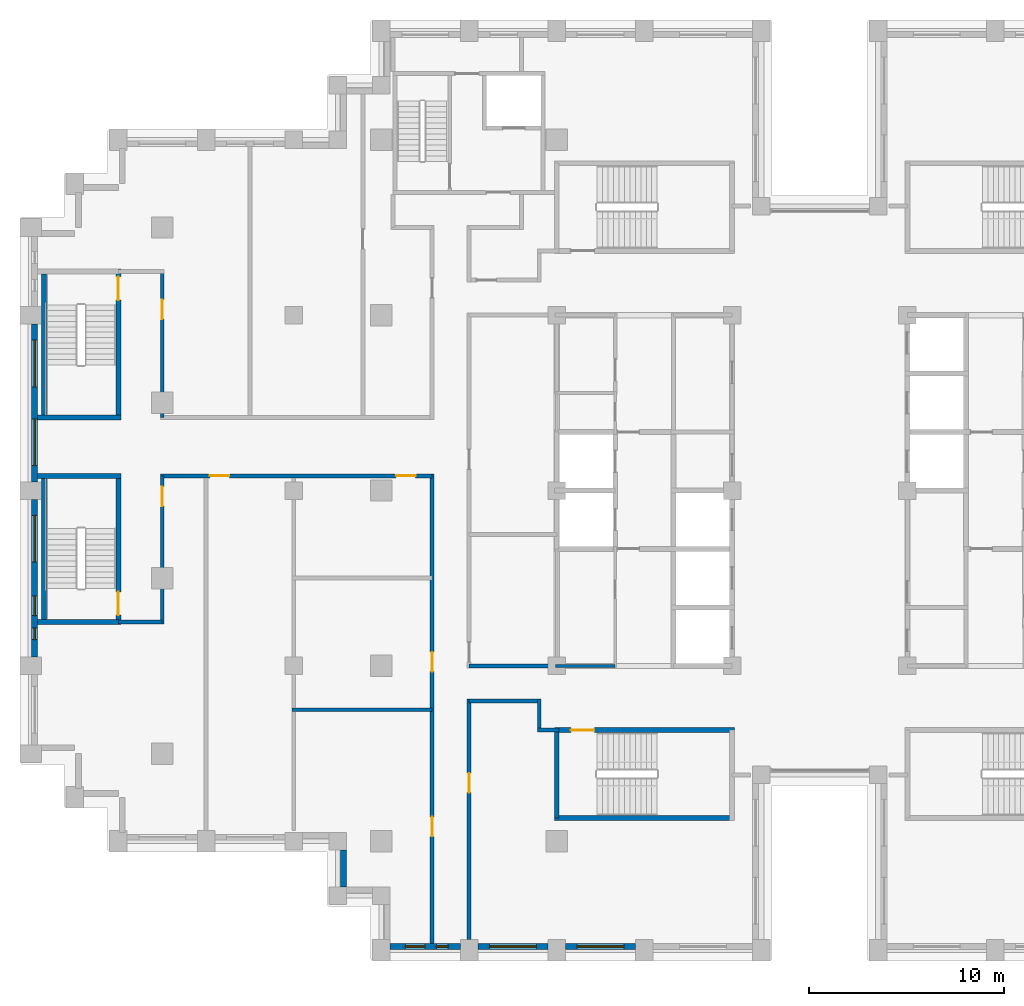
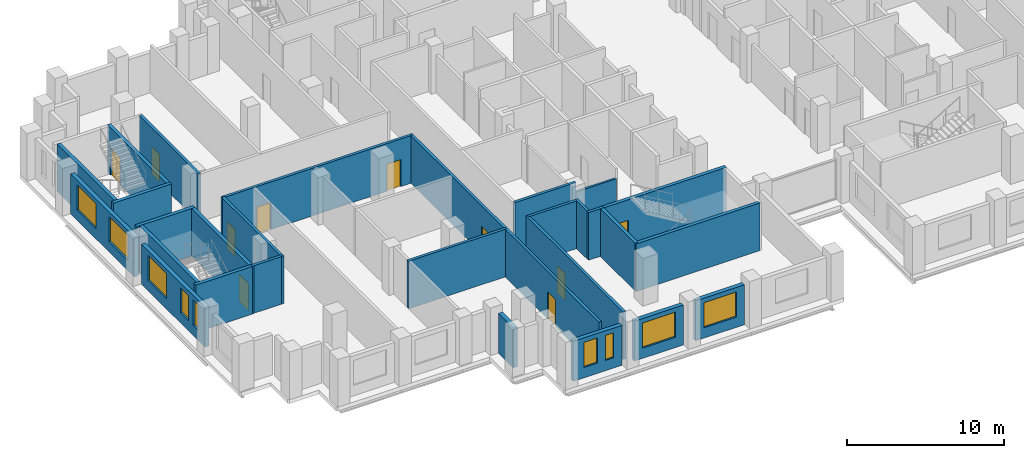
# One storey, part 6 of 16: 28 walls, 10 doors, 9 windows, 19 openings.
"""IFC4 building model written with IfcOpenShell, lengths in metres."""

import ifcopenshell
import ifcopenshell.guid

model = None  # the IFC model being written
_history = None  # IfcOwnerHistory: only IFC2X3 demands one
_inside = {}  # id of a spatial element -> (the spatial element, [elements in it])
_under = {}  # id of a project, library or spatial element -> (it, [spatial elements below it])
_declared = {}  # id of a project -> (the project, [libraries it declares])
_typed = {}  # id of a type object -> (the type object, [elements of that type])
_made_of = {}  # id of a material, layer set ... -> (it, [elements and type objects made of it])


def new_model(schema):
    """Start an empty IFC model of exactly this schema.

    Asked for "IFC4X3", IfcOpenShell would pick the latest addendum, in which some entities
    have other attributes; the version numbers below select the first issue.
    IFC2X3 requires an IfcOwnerHistory on every rooted entity: one is made here for all.
    """
    global model, _history
    if schema == "IFC4X3":
        model = ifcopenshell.file(schema_version=(4, 3, 0, 0))
    else:
        model = ifcopenshell.file(schema=schema)
    _inside.clear()
    _under.clear()
    _declared.clear()
    _typed.clear()
    _made_of.clear()
    _history = None
    if model.schema == "IFC2X3":
        org = make("IfcOrganization", Name="unknown")
        user = make(
            "IfcPersonAndOrganization",
            ThePerson=make("IfcPerson", FamilyName="unknown"),
            TheOrganization=org,
        )
        app = make(
            "IfcApplication",
            ApplicationDeveloper=org,
            Version="unknown",
            ApplicationFullName="unknown",
            ApplicationIdentifier="unknown",
        )
        _history = make(
            "IfcOwnerHistory",
            OwningUser=user,
            OwningApplication=app,
            ChangeAction="ADDED",
            CreationDate=0,
        )
    return model


def make(cls, **values):
    """One entity of the class cls with the attributes given. An attribute that is None is left unset."""
    return model.create_entity(
        cls, **{name: value for name, value in values.items() if value is not None}
    )


def rooted(cls, **values):
    """An entity with a GlobalId (a new one), such as an element, a storey or a relation."""
    return make(cls, GlobalId=ifcopenshell.guid.new(), OwnerHistory=_history, **values)


def si_unit(unit_type, name, prefix=None):
    """IfcSIUnit, for example si_unit("LENGTHUNIT", "METRE", prefix="MILLI")."""
    return make("IfcSIUnit", UnitType=unit_type, Prefix=prefix, Name=name)


def assignment(units):
    """IfcUnitAssignment: the units of a project."""
    return None if units is None else make("IfcUnitAssignment", Units=units)


def point(xyz):
    """IfcCartesianPoint."""
    return None if xyz is None else make("IfcCartesianPoint", Coordinates=xyz)


def direction(xyz):
    """IfcDirection."""
    return None if xyz is None else make("IfcDirection", DirectionRatios=xyz)


def frame(location, z_axis=None, x_axis=None):
    """IfcAxis2Placement3D, a coordinate frame: its origin and axes. An axis left out is left unset."""
    return make(
        "IfcAxis2Placement3D",
        Location=point(location),
        Axis=direction(z_axis),
        RefDirection=direction(x_axis),
    )


def frame_2d(location, x_axis=None):
    """IfcAxis2Placement2D, a coordinate frame in the plane: its origin and x axis."""
    return make(
        "IfcAxis2Placement2D", Location=point(location), RefDirection=direction(x_axis)
    )


def origin():
    """The frame at (0, 0, 0) with its axes left unset."""
    return frame((0.0, 0.0, 0.0))


def place(relative_to, where):
    """IfcLocalPlacement: puts the frame where relative to a parent placement (None: the world)."""
    return make(
        "IfcLocalPlacement", PlacementRelTo=relative_to, RelativePlacement=where
    )


def context(
    kind, dimensions, precision=None, world=None, true_north=None, identifier=None
):
    """IfcGeometricRepresentationContext, for example the 3D "Model" context."""
    return make(
        "IfcGeometricRepresentationContext",
        ContextIdentifier=identifier,
        ContextType=kind,
        CoordinateSpaceDimension=dimensions,
        Precision=precision,
        WorldCoordinateSystem=world,
        TrueNorth=true_north,
    )


def subcontext(parent, identifier, kind, view, scale=None):
    """IfcGeometricRepresentationSubContext, for example "Body" below "Model"."""
    return make(
        "IfcGeometricRepresentationSubContext",
        ContextIdentifier=identifier,
        ContextType=kind,
        ParentContext=parent,
        TargetScale=scale,
        TargetView=view,
    )


def project(units=None, contexts=None):
    """IfcProject with its units and contexts."""
    return rooted(
        "IfcProject",
        Name="project",
        RepresentationContexts=contexts,
        UnitsInContext=assignment(units),
    )


def spatial(cls, under=None, at=None, **own):
    """A site, building, storey or space (cls), placed at a placement, below another one or the project."""
    s = rooted(cls, ObjectPlacement=at, **own)
    if under is not None:
        _under.setdefault(under.id(), (under, []))[1].append(s)
    return s


def profile(cls, at=None, kind="AREA", **sizes):
    """A parametric profile (cls). Its sizes go by their IFC names, for example OverallWidth=200.0."""
    return make(cls, ProfileType=kind, Position=at, **sizes)


def rectangle(**sizes):
    """IfcRectangleProfileDef."""
    return profile("IfcRectangleProfileDef", **sizes)


def extrude(swept, where, along, depth):
    """IfcExtrudedAreaSolid: the profile swept, set in the frame where, extruded along a direction by depth."""
    return make(
        "IfcExtrudedAreaSolid",
        SweptArea=swept,
        Position=where,
        ExtrudedDirection=direction(along),
        Depth=depth,
    )


def shape(context_of_items, identifier, shape_type, items):
    """IfcShapeRepresentation: the items that make up one representation, for example the "Body"."""
    return make(
        "IfcShapeRepresentation",
        ContextOfItems=context_of_items,
        RepresentationIdentifier=identifier,
        RepresentationType=shape_type,
        Items=items,
    )


def material(Name=None, Category=None):
    """IfcMaterial."""
    return make("IfcMaterial", Name=Name, Category=Category)


def layer(
    of_material, thickness, ventilated=None, Name=None, Category=None, Priority=None
):
    """IfcMaterialLayer: one layer of a wall or slab, of a material (None: an air gap)."""
    return make(
        "IfcMaterialLayer",
        Material=of_material,
        LayerThickness=thickness,
        IsVentilated=ventilated,
        Name=Name,
        Category=Category,
        Priority=Priority,
    )


def layer_set(layers, Name=None):
    """IfcMaterialLayerSet."""
    return make("IfcMaterialLayerSet", MaterialLayers=layers, LayerSetName=Name)


def made_of(thing, what):
    """Note that an element or type object is made of a material, layer set ...; save() writes the relation."""
    if what is not None:
        _made_of.setdefault(what.id(), (what, []))[1].append(thing)
    return thing


def type_object(cls, material=None, **own):
    """A type object (cls), such as IfcWallType, which elements share."""
    return made_of(rooted(cls, **own), material)


def element(
    cls,
    number,
    at=None,
    inside=None,
    cuts=None,
    type_object=None,
    material=None,
    context=None,
    identifier="Body",
    shape_type=None,
    held_by="IfcProductDefinitionShape",
    body=None,
    shapes=None,
    **own,
):
    """One element of the class cls, such as IfcWall. Its Tag is "e" and its number.

    at: its placement. inside: the storey or other place that contains it. cuts: it is an
    opening in that element (IfcRelVoidsElement). A single representation is given by context,
    identifier, shape_type and body (its items); several are given by shapes. held_by: the class
    of the entity that holds the representations. save() writes the other relations.
    """
    e = rooted(cls, Tag="e%d" % number, ObjectPlacement=at, **own)
    if body is not None:
        shapes = [shape(context, identifier, shape_type, body)]
    if shapes is not None:
        e.Representation = make(held_by, Representations=shapes)
    if inside is not None:
        _inside.setdefault(inside.id(), (inside, []))[1].append(e)
    if cuts is not None:
        rooted(
            "IfcRelVoidsElement", RelatingBuildingElement=cuts, RelatedOpeningElement=e
        )
    if type_object is not None:
        _typed.setdefault(type_object.id(), (type_object, []))[1].append(e)
    return made_of(e, material)


def fill(opening, filler):
    """IfcRelFillsElement: the door or window that sits in an opening."""
    return rooted(
        "IfcRelFillsElement",
        RelatingOpeningElement=opening,
        RelatedBuildingElement=filler,
    )


def aggregate(whole, parts):
    """IfcRelAggregates: a whole, such as a stair, and the parts it consists of."""
    return rooted("IfcRelAggregates", RelatingObject=whole, RelatedObjects=parts)


def save(model, path):
    """Write the relations noted so far, then the file.

    IfcRelAggregates (storeys below a building ...), IfcRelContainedInSpatialStructure (elements
    in a storey), IfcRelDefinesByType, IfcRelAssociatesMaterial and IfcRelDeclares: one each for
    every whole, place, type object, material and project.
    """
    for whole, parts in _under.values():
        aggregate(whole, parts)
    for where, things in _inside.values():
        rooted(
            "IfcRelContainedInSpatialStructure",
            RelatedElements=things,
            RelatingStructure=where,
        )
    for kind, things in _typed.values():
        rooted("IfcRelDefinesByType", RelatedObjects=things, RelatingType=kind)
    for what, things in _made_of.values():
        rooted("IfcRelAssociatesMaterial", RelatedObjects=things, RelatingMaterial=what)
    for by, libraries in _declared.values():
        rooted("IfcRelDeclares", RelatingContext=by, RelatedDefinitions=libraries)
    model.write(path)


model = new_model("IFC4")

# Units and contexts
model_context = context("Model", 3, precision=1e-05, world=origin(), true_north=direction((0.0, 1.0)))
body_context = subcontext(model_context, "Body", "Model", "MODEL_VIEW")
ifc_project = project(units=[si_unit("LENGTHUNIT", "METRE"), si_unit("AREAUNIT", "SQUARE_METRE"), si_unit("VOLUMEUNIT", "CUBIC_METRE"), si_unit("PLANEANGLEUNIT", "RADIAN"), si_unit("MASSUNIT", "GRAM", prefix="KILO")], contexts=[model_context])

# Site, building, storey
site_placement = place(None, origin())
site = spatial("IfcSite", under=ifc_project, at=site_placement, CompositionType="ELEMENT")
building_placement = place(site_placement, origin())
building = spatial("IfcBuilding", under=site, at=building_placement, Name="Corbelhall Arena Tower", CompositionType="ELEMENT")
storey_placement = place(building_placement, frame((0.0, 0.0, 154.0)))
storey = spatial("IfcBuildingStorey", under=building, at=storey_placement, Name="L30", CompositionType="ELEMENT", Elevation=154.0)

# Wall, openings, windows
ifc_material_1 = material(Name="Precast concrete C40/50 with granite facing", Category="masonry")
ifc_layer_1 = layer(ifc_material_1, 0.300048828125)
ifc_layer_set_1 = layer_set([ifc_layer_1], Name="EV-IW1 Infill panel 300")
wall_type_1 = type_object("IfcWallType", Name="EV-IW1 Infill panel 300", PredefinedType="SOLIDWALL", material=ifc_layer_set_1)
wall_1_placement = place(storey_placement, frame((-40.300048828125, 8.550048828125, 0.0), z_axis=(0.0, 0.0, 1.0), x_axis=(0.0, -1.0, 0.0)))
wall_1 = element("IfcWall", 1, at=wall_1_placement, inside=storey, type_object=wall_type_1, Name="Infill panel IW1", PredefinedType="SOLIDWALL", context=body_context, shape_type="SweptSolid", body=[
    extrude(rectangle(XDim=8.10009765625, YDim=0.300048828125, at=frame_2d((4.050048828125, 0.0))), origin(), (0.0, 0.0, 1.0), 3.10009765625),
])
opening_1_placement = place(wall_1_placement, frame((0.824951171875, 0.0, 0.800048828125)))
opening_1 = element("IfcOpeningElement", 2, at=opening_1_placement, cuts=wall_1, Name="Opening WN1", PredefinedType="OPENING", context=body_context, shape_type="SweptSolid", body=[
    extrude(rectangle(XDim=2.39990234375, YDim=1.949951171875, at=frame_2d((1.199951171875, 0.97509765625))), frame((0.0, 0.14990234375, 0.0), z_axis=(0.0, -1.0, 0.0), x_axis=(1.0, 0.0, 0.0)), (0.0, 0.0, 1.0), 0.300048828125),
])
opening_2_placement = place(wall_1_placement, frame((4.875, 0.0, 0.800048828125)))
opening_2 = element("IfcOpeningElement", 3, at=opening_2_placement, cuts=wall_1, Name="Opening WN1", PredefinedType="OPENING", context=body_context, shape_type="SweptSolid", body=[
    extrude(rectangle(XDim=2.39990234375, YDim=1.949951171875, at=frame_2d((1.199951171875, 0.97509765625))), frame((0.0, 0.14990234375, 0.0), z_axis=(0.0, -1.0, 0.0), x_axis=(1.0, 0.0, 0.0)), (0.0, 0.0, 1.0), 0.300048828125),
])
ifc_material_2 = material(Name="Aluminium black anodised", Category="aluminium")
window_type_1 = type_object("IfcWindowType", Name="EV-WN1 Office window", PartitioningType="SINGLE_PANEL", PredefinedType="WINDOW", material=ifc_material_2)
window_1_placement = place(opening_1_placement, origin())
window_1 = element("IfcWindow", 4, at=window_1_placement, inside=storey, type_object=window_type_1, Name="Window WN1", OverallHeight=1.949951171875, OverallWidth=2.39990234375, PartitioningType="SINGLE_PANEL", PredefinedType="WINDOW", context=body_context, shape_type="SweptSolid", body=[
    extrude(rectangle(XDim=2.39990234375, YDim=1.949951171875, at=frame_2d((1.199951171875, 0.97509765625))), frame((0.0, 0.030029296875, 0.0), z_axis=(0.0, -1.0, 0.0), x_axis=(1.0, 0.0, 0.0)), (0.0, 0.0, 1.0), 0.06005859375),
])
fill(opening_1, window_1)
window_2_placement = place(opening_2_placement, origin())
window_2 = element("IfcWindow", 5, at=window_2_placement, inside=storey, type_object=window_type_1, Name="Window WN1", OverallHeight=1.949951171875, OverallWidth=2.39990234375, PartitioningType="SINGLE_PANEL", PredefinedType="WINDOW", context=body_context, shape_type="SweptSolid", body=[
    extrude(rectangle(XDim=2.39990234375, YDim=1.949951171875, at=frame_2d((1.199951171875, 0.97509765625))), frame((0.0, 0.030029296875, 0.0), z_axis=(0.0, -1.0, 0.0), x_axis=(1.0, 0.0, 0.0)), (0.0, 0.0, 1.0), 0.06005859375),
])
fill(opening_2, window_2)

wall_2_placement = place(storey_placement, frame((-40.300048828125, -0.449951171875, 0.0), z_axis=(0.0, 0.0, 1.0), x_axis=(0.0, -1.0, 0.0)))
wall_2 = element("IfcWall", 6, at=wall_2_placement, inside=storey, type_object=wall_type_1, Name="Infill panel IW1", PredefinedType="SOLIDWALL", context=body_context, shape_type="SweptSolid", body=[
    extrude(rectangle(XDim=8.10009765625, YDim=0.300048828125, at=frame_2d((4.050048828125, 0.0))), origin(), (0.0, 0.0, 1.0), 3.10009765625),
])
opening_3_placement = place(wall_2_placement, frame((0.824951171875, 0.0, 0.800048828125)))
opening_3 = element("IfcOpeningElement", 7, at=opening_3_placement, cuts=wall_2, Name="Opening WN1", PredefinedType="OPENING", context=body_context, shape_type="SweptSolid", body=[
    extrude(rectangle(XDim=2.39990234375, YDim=1.949951171875, at=frame_2d((1.199951171875, 0.97509765625))), frame((0.0, 0.14990234375, 0.0), z_axis=(0.0, -1.0, 0.0), x_axis=(1.0, 0.0, 0.0)), (0.0, 0.0, 1.0), 0.300048828125),
])
opening_4_placement = place(wall_2_placement, frame((4.97509765625, 0.0, 0.800048828125)))
opening_4 = element("IfcOpeningElement", 8, at=opening_4_placement, cuts=wall_2, Name="Opening WN6", PredefinedType="OPENING", context=body_context, shape_type="SweptSolid", body=[
    extrude(rectangle(XDim=1.0, YDim=1.949951171875, at=frame_2d((0.5, 0.97509765625))), frame((0.0, 0.14990234375, 0.0), z_axis=(0.0, -1.0, 0.0), x_axis=(1.0, 0.0, 0.0)), (0.0, 0.0, 1.0), 0.300048828125),
])
opening_5_placement = place(wall_2_placement, frame((6.60009765625, 0.0, 0.800048828125)))
opening_5 = element("IfcOpeningElement", 9, at=opening_5_placement, cuts=wall_2, Name="Opening WN5", PredefinedType="OPENING", context=body_context, shape_type="SweptSolid", body=[
    extrude(rectangle(XDim=0.60009765625, YDim=1.949951171875, at=frame_2d((0.300048828125, 0.97509765625))), frame((0.0, 0.14990234375, 0.0), z_axis=(0.0, -1.0, 0.0), x_axis=(1.0, 0.0, 0.0)), (0.0, 0.0, 1.0), 0.300048828125),
])
window_3_placement = place(opening_3_placement, origin())
window_3 = element("IfcWindow", 10, at=window_3_placement, inside=storey, type_object=window_type_1, Name="Window WN1", OverallHeight=1.949951171875, OverallWidth=2.39990234375, PartitioningType="SINGLE_PANEL", PredefinedType="WINDOW", context=body_context, shape_type="SweptSolid", body=[
    extrude(rectangle(XDim=2.39990234375, YDim=1.949951171875, at=frame_2d((1.199951171875, 0.97509765625))), frame((0.0, 0.030029296875, 0.0), z_axis=(0.0, -1.0, 0.0), x_axis=(1.0, 0.0, 0.0)), (0.0, 0.0, 1.0), 0.06005859375),
])
fill(opening_3, window_3)
window_type_2 = type_object("IfcWindowType", Name="EV-WN5 Office window 600", PartitioningType="SINGLE_PANEL", PredefinedType="WINDOW", material=ifc_material_2)
window_4_placement = place(opening_5_placement, origin())
window_4 = element("IfcWindow", 11, at=window_4_placement, inside=storey, type_object=window_type_2, Name="Window WN5", OverallHeight=1.949951171875, OverallWidth=0.60009765625, PartitioningType="SINGLE_PANEL", PredefinedType="WINDOW", context=body_context, shape_type="SweptSolid", body=[
    extrude(rectangle(XDim=0.60009765625, YDim=1.949951171875, at=frame_2d((0.300048828125, 0.97509765625))), frame((0.0, 0.030029296875, 0.0), z_axis=(0.0, -1.0, 0.0), x_axis=(1.0, 0.0, 0.0)), (0.0, 0.0, 1.0), 0.06005859375),
])
fill(opening_5, window_4)
window_type_3 = type_object("IfcWindowType", Name="EV-WN6 Office window 1000", PartitioningType="SINGLE_PANEL", PredefinedType="WINDOW", material=ifc_material_2)
window_5_placement = place(opening_4_placement, origin())
window_5 = element("IfcWindow", 12, at=window_5_placement, inside=storey, type_object=window_type_3, Name="Window WN6", OverallHeight=1.949951171875, OverallWidth=1.0, PartitioningType="SINGLE_PANEL", PredefinedType="WINDOW", context=body_context, shape_type="SweptSolid", body=[
    extrude(rectangle(XDim=1.0, YDim=1.949951171875, at=frame_2d((0.5, 0.97509765625))), frame((0.0, 0.030029296875, 0.0), z_axis=(0.0, -1.0, 0.0), x_axis=(1.0, 0.0, 0.0)), (0.0, 0.0, 1.0), 0.06005859375),
])
fill(opening_4, window_5)

# Wall
wall_3_placement = place(storey_placement, frame((-24.449951171875, -18.449951171875, 0.0), z_axis=(0.0, 0.0, 1.0), x_axis=(0.0, -1.0, 0.0)))
element("IfcWall", 13, at=wall_3_placement, inside=storey, type_object=wall_type_1, Name="Infill panel IW1", PredefinedType="SOLIDWALL", context=body_context, shape_type="SweptSolid", body=[
    extrude(rectangle(XDim=1.900146484375, YDim=0.300048828125, at=frame_2d((0.9501953125, 0.0))), origin(), (0.0, 0.0, 1.0), 3.10009765625),
])

# Wall, openings, windows
wall_4_placement = place(storey_placement, frame((-22.050048828125, -23.39990234375, 0.0), z_axis=(0.0, 0.0, 1.0), x_axis=(1.0, 0.0, 0.0)))
wall_4 = element("IfcWall", 14, at=wall_4_placement, inside=storey, type_object=wall_type_1, Name="Infill panel IW1", PredefinedType="SOLIDWALL", context=body_context, shape_type="SweptSolid", body=[
    extrude(rectangle(XDim=3.60009765625, YDim=0.300048828125, at=frame_2d((1.800048828125, 0.0))), origin(), (0.0, 0.0, 1.0), 3.10009765625),
])
opening_6_placement = place(wall_4_placement, frame((0.77490234375, 0.0, 0.800048828125)))
opening_6 = element("IfcOpeningElement", 15, at=opening_6_placement, cuts=wall_4, Name="Opening WN6", PredefinedType="OPENING", context=body_context, shape_type="SweptSolid", body=[
    extrude(rectangle(XDim=1.0, YDim=1.949951171875, at=frame_2d((0.5, 0.97509765625))), frame((0.0, 0.14990234375, 0.0), z_axis=(0.0, -1.0, 0.0), x_axis=(1.0, 0.0, 0.0)), (0.0, 0.0, 1.0), 0.300048828125),
])
opening_7_placement = place(wall_4_placement, frame((2.375, 0.0, 0.800048828125)))
opening_7 = element("IfcOpeningElement", 16, at=opening_7_placement, cuts=wall_4, Name="Opening WN5", PredefinedType="OPENING", context=body_context, shape_type="SweptSolid", body=[
    extrude(rectangle(XDim=0.60009765625, YDim=1.949951171875, at=frame_2d((0.300048828125, 0.97509765625))), frame((0.0, 0.14990234375, 0.0), z_axis=(0.0, -1.0, 0.0), x_axis=(1.0, 0.0, 0.0)), (0.0, 0.0, 1.0), 0.300048828125),
])
window_6_placement = place(opening_7_placement, origin())
window_6 = element("IfcWindow", 17, at=window_6_placement, inside=storey, type_object=window_type_2, Name="Window WN5", OverallHeight=1.949951171875, OverallWidth=0.60009765625, PartitioningType="SINGLE_PANEL", PredefinedType="WINDOW", context=body_context, shape_type="SweptSolid", body=[
    extrude(rectangle(XDim=0.60009765625, YDim=1.949951171875, at=frame_2d((0.300048828125, 0.97509765625))), frame((0.0, 0.030029296875, 0.0), z_axis=(0.0, -1.0, 0.0), x_axis=(1.0, 0.0, 0.0)), (0.0, 0.0, 1.0), 0.06005859375),
])
fill(opening_7, window_6)
window_7_placement = place(opening_6_placement, origin())
window_7 = element("IfcWindow", 18, at=window_7_placement, inside=storey, type_object=window_type_3, Name="Window WN6", OverallHeight=1.949951171875, OverallWidth=1.0, PartitioningType="SINGLE_PANEL", PredefinedType="WINDOW", context=body_context, shape_type="SweptSolid", body=[
    extrude(rectangle(XDim=1.0, YDim=1.949951171875, at=frame_2d((0.5, 0.97509765625))), frame((0.0, 0.030029296875, 0.0), z_axis=(0.0, -1.0, 0.0), x_axis=(1.0, 0.0, 0.0)), (0.0, 0.0, 1.0), 0.06005859375),
])
fill(opening_6, window_7)

# Wall, opening, window
wall_5_placement = place(storey_placement, frame((-17.550048828125, -23.39990234375, 0.0), z_axis=(0.0, 0.0, 1.0), x_axis=(1.0, 0.0, 0.0)))
wall_5 = element("IfcWall", 19, at=wall_5_placement, inside=storey, type_object=wall_type_1, Name="Infill panel IW1", PredefinedType="SOLIDWALL", context=body_context, shape_type="SweptSolid", body=[
    extrude(rectangle(XDim=3.60009765625, YDim=0.300048828125, at=frame_2d((1.800048828125, 0.0))), origin(), (0.0, 0.0, 1.0), 3.10009765625),
])
opening_8_placement = place(wall_5_placement, frame((0.60009765625, 0.0, 0.800048828125)))
opening_8 = element("IfcOpeningElement", 20, at=opening_8_placement, cuts=wall_5, Name="Opening WN1", PredefinedType="OPENING", context=body_context, shape_type="SweptSolid", body=[
    extrude(rectangle(XDim=2.39990234375, YDim=1.949951171875, at=frame_2d((1.199951171875, 0.97509765625))), frame((0.0, 0.14990234375, 0.0), z_axis=(0.0, -1.0, 0.0), x_axis=(1.0, 0.0, 0.0)), (0.0, 0.0, 1.0), 0.300048828125),
])
window_8_placement = place(opening_8_placement, origin())
window_8 = element("IfcWindow", 21, at=window_8_placement, inside=storey, type_object=window_type_1, Name="Window WN1", OverallHeight=1.949951171875, OverallWidth=2.39990234375, PartitioningType="SINGLE_PANEL", PredefinedType="WINDOW", context=body_context, shape_type="SweptSolid", body=[
    extrude(rectangle(XDim=2.39990234375, YDim=1.949951171875, at=frame_2d((1.199951171875, 0.97509765625))), frame((0.0, 0.030029296875, 0.0), z_axis=(0.0, -1.0, 0.0), x_axis=(1.0, 0.0, 0.0)), (0.0, 0.0, 1.0), 0.06005859375),
])
fill(opening_8, window_8)

wall_6_placement = place(storey_placement, frame((-13.050048828125, -23.39990234375, 0.0), z_axis=(0.0, 0.0, 1.0), x_axis=(1.0, 0.0, 0.0)))
wall_6 = element("IfcWall", 22, at=wall_6_placement, inside=storey, type_object=wall_type_1, Name="Infill panel IW1", PredefinedType="SOLIDWALL", context=body_context, shape_type="SweptSolid", body=[
    extrude(rectangle(XDim=3.60009765625, YDim=0.300048828125, at=frame_2d((1.800048828125, 0.0))), origin(), (0.0, 0.0, 1.0), 3.10009765625),
])
opening_9_placement = place(wall_6_placement, frame((0.60009765625, 0.0, 0.800048828125)))
opening_9 = element("IfcOpeningElement", 23, at=opening_9_placement, cuts=wall_6, Name="Opening WN1", PredefinedType="OPENING", context=body_context, shape_type="SweptSolid", body=[
    extrude(rectangle(XDim=2.39990234375, YDim=1.949951171875, at=frame_2d((1.199951171875, 0.97509765625))), frame((0.0, 0.14990234375, 0.0), z_axis=(0.0, -1.0, 0.0), x_axis=(1.0, 0.0, 0.0)), (0.0, 0.0, 1.0), 0.300048828125),
])
window_9_placement = place(opening_9_placement, origin())
window_9 = element("IfcWindow", 24, at=window_9_placement, inside=storey, type_object=window_type_1, Name="Window WN1", OverallHeight=1.949951171875, OverallWidth=2.39990234375, PartitioningType="SINGLE_PANEL", PredefinedType="WINDOW", context=body_context, shape_type="SweptSolid", body=[
    extrude(rectangle(XDim=2.39990234375, YDim=1.949951171875, at=frame_2d((1.199951171875, 0.97509765625))), frame((0.0, 0.030029296875, 0.0), z_axis=(0.0, -1.0, 0.0), x_axis=(1.0, 0.0, 0.0)), (0.0, 0.0, 1.0), 0.06005859375),
])
fill(opening_9, window_9)

# Wall
ifc_material_3 = material(Name="Gypsum board on steel stud, acoustic", Category="steel")
ifc_layer_2 = layer(ifc_material_3, 0.199951171875)
ifc_layer_set_2 = layer_set([ifc_layer_2], Name="IN-W-DM200")
wall_type_2 = type_object("IfcWallType", Name="IN-W-DM200", PredefinedType="PARTITIONING", material=ifc_layer_set_2)
wall_7_placement = place(storey_placement, frame((-33.75, -6.75, 0.0), z_axis=(0.0, 0.0, 1.0), x_axis=(-1.0, 0.0, 0.0)))
element("IfcWall", 25, at=wall_7_placement, inside=storey, type_object=wall_type_2, Name="Partition 003", PredefinedType="PARTITIONING", context=body_context, shape_type="SweptSolid", body=[
    extrude(rectangle(XDim=2.25, YDim=0.199951171875, at=frame_2d((1.125, 0.0))), origin(), (0.0, 0.0, 1.0), 3.699951171875),
])

# Wall, opening, door
wall_8_placement = place(storey_placement, frame((-33.75, 0.75, 0.0), z_axis=(0.0, 0.0, 1.0), x_axis=(0.0, -1.0, 0.0)))
wall_8 = element("IfcWall", 26, at=wall_8_placement, inside=storey, type_object=wall_type_2, Name="Partition 004", PredefinedType="PARTITIONING", context=body_context, shape_type="SweptSolid", body=[
    extrude(rectangle(XDim=7.60009765625, YDim=0.199951171875, at=frame_2d((3.800048828125, 0.0))), origin(), (0.0, 0.0, 1.0), 3.699951171875),
])
opening_10_placement = place(wall_8_placement, frame((0.550048828125, 0.0, 0.0)))
opening_10 = element("IfcOpeningElement", 27, at=opening_10_placement, cuts=wall_8, Name="Opening 08043", PredefinedType="OPENING", context=body_context, shape_type="SweptSolid", body=[
    extrude(rectangle(XDim=1.0, YDim=2.10009765625, at=frame_2d((0.5, 1.050048828125))), frame((0.0, 0.10009765625, 0.0), z_axis=(0.0, -1.0, 0.0), x_axis=(1.0, 0.0, 0.0)), (0.0, 0.0, 1.0), 0.199951171875),
])
ifc_material_4 = material(Name="Steel door set", Category="steel")
door_type_1 = type_object("IfcDoorType", Name="IN-D-SW100", OperationType="NOTDEFINED", PredefinedType="DOOR", material=ifc_material_4)
door_1_placement = place(opening_10_placement, origin())
door_1 = element("IfcDoor", 28, at=door_1_placement, inside=storey, type_object=door_type_1, Name="Door 043", OperationType="SINGLE_SWING_RIGHT", OverallHeight=2.10009765625, OverallWidth=1.0, PredefinedType="DOOR", context=body_context, shape_type="SweptSolid", body=[
    extrude(rectangle(XDim=1.0, YDim=2.10009765625, at=frame_2d((0.5, 1.050048828125))), frame((0.0, 0.02490234375, 0.0), z_axis=(0.0, -1.0, 0.0), x_axis=(1.0, 0.0, 0.0)), (0.0, 0.0, 1.0), 0.050048828125),
])
fill(opening_10, door_1)

wall_9_placement = place(storey_placement, frame((-33.75, 11.25, 0.0), z_axis=(0.0, 0.0, 1.0), x_axis=(0.0, -1.0, 0.0)))
wall_9 = element("IfcWall", 29, at=wall_9_placement, inside=storey, type_object=wall_type_2, Name="Partition 005", PredefinedType="PARTITIONING", context=body_context, shape_type="SweptSolid", body=[
    extrude(rectangle(XDim=7.5, YDim=0.199951171875, at=frame_2d((3.75, 0.0))), origin(), (0.0, 0.0, 1.0), 3.699951171875),
])
opening_11_placement = place(wall_9_placement, frame((1.449951171875, 0.0, 0.0)))
opening_11 = element("IfcOpeningElement", 30, at=opening_11_placement, cuts=wall_9, Name="Opening 08042", PredefinedType="OPENING", context=body_context, shape_type="SweptSolid", body=[
    extrude(rectangle(XDim=1.0, YDim=2.10009765625, at=frame_2d((0.5, 1.050048828125))), frame((0.0, 0.10009765625, 0.0), z_axis=(0.0, -1.0, 0.0), x_axis=(1.0, 0.0, 0.0)), (0.0, 0.0, 1.0), 0.199951171875),
])
door_2_placement = place(opening_11_placement, origin())
door_2 = element("IfcDoor", 31, at=door_2_placement, inside=storey, type_object=door_type_1, Name="Door 042", OperationType="SINGLE_SWING_LEFT", OverallHeight=2.10009765625, OverallWidth=1.0, PredefinedType="DOOR", context=body_context, shape_type="SweptSolid", body=[
    extrude(rectangle(XDim=1.0, YDim=2.10009765625, at=frame_2d((0.5, 1.050048828125))), frame((0.0, 0.02490234375, 0.0), z_axis=(0.0, -1.0, 0.0), x_axis=(1.0, 0.0, 0.0)), (0.0, 0.0, 1.0), 0.050048828125),
])
fill(opening_11, door_2)

# Wall, openings, doors
wall_10_placement = place(storey_placement, frame((-19.89990234375, 0.75, 0.0), z_axis=(0.0, 0.0, 1.0), x_axis=(-1.0, 0.0, 0.0)))
wall_10 = element("IfcWall", 32, at=wall_10_placement, inside=storey, type_object=wall_type_2, Name="Partition 007", PredefinedType="PARTITIONING", context=body_context, shape_type="SweptSolid", body=[
    extrude(rectangle(XDim=13.9501953125, YDim=0.199951171875, at=frame_2d((6.97509765625, 0.0))), origin(), (0.0, 0.0, 1.0), 3.699951171875),
])
opening_12_placement = place(wall_10_placement, frame((0.85009765625, 0.0, 0.0)))
opening_12 = element("IfcOpeningElement", 33, at=opening_12_placement, cuts=wall_10, Name="Opening 08035", PredefinedType="OPENING", context=body_context, shape_type="SweptSolid", body=[
    extrude(rectangle(XDim=1.0, YDim=2.10009765625, at=frame_2d((0.5, 1.050048828125))), frame((0.0, 0.10009765625, 0.0), z_axis=(0.0, -1.0, 0.0), x_axis=(1.0, 0.0, 0.0)), (0.0, 0.0, 1.0), 0.199951171875),
])
opening_13_placement = place(wall_10_placement, frame((10.39990234375, 0.0, 0.0)))
opening_13 = element("IfcOpeningElement", 34, at=opening_13_placement, cuts=wall_10, Name="Opening 08044", PredefinedType="OPENING", context=body_context, shape_type="SweptSolid", body=[
    extrude(rectangle(XDim=1.0, YDim=2.10009765625, at=frame_2d((0.5, 1.050048828125))), frame((0.0, 0.10009765625, 0.0), z_axis=(0.0, -1.0, 0.0), x_axis=(1.0, 0.0, 0.0)), (0.0, 0.0, 1.0), 0.199951171875),
])
door_3_placement = place(opening_12_placement, origin())
door_3 = element("IfcDoor", 35, at=door_3_placement, inside=storey, type_object=door_type_1, Name="Door 035", OperationType="SINGLE_SWING_RIGHT", OverallHeight=2.10009765625, OverallWidth=1.0, PredefinedType="DOOR", context=body_context, shape_type="SweptSolid", body=[
    extrude(rectangle(XDim=1.0, YDim=2.10009765625, at=frame_2d((0.5, 1.050048828125))), frame((0.0, 0.02490234375, 0.0), z_axis=(0.0, -1.0, 0.0), x_axis=(1.0, 0.0, 0.0)), (0.0, 0.0, 1.0), 0.050048828125),
])
fill(opening_12, door_3)
door_4_placement = place(opening_13_placement, origin())
door_4 = element("IfcDoor", 36, at=door_4_placement, inside=storey, type_object=door_type_1, Name="Door 044", OperationType="SINGLE_SWING_LEFT", OverallHeight=2.10009765625, OverallWidth=1.0, PredefinedType="DOOR", context=body_context, shape_type="SweptSolid", body=[
    extrude(rectangle(XDim=1.0, YDim=2.10009765625, at=frame_2d((0.5, 1.050048828125))), frame((0.0, 0.02490234375, 0.0), z_axis=(0.0, -1.0, 0.0), x_axis=(1.0, 0.0, 0.0)), (0.0, 0.0, 1.0), 0.050048828125),
])
fill(opening_13, door_4)

# Wall
wall_11_placement = place(storey_placement, frame((-27.10009765625, -11.25, 0.0), z_axis=(0.0, 0.0, 1.0), x_axis=(1.0, 0.0, 0.0)))
element("IfcWall", 37, at=wall_11_placement, inside=storey, type_object=wall_type_2, Name="Partition 009", PredefinedType="PARTITIONING", context=body_context, shape_type="SweptSolid", body=[
    extrude(rectangle(XDim=7.2001953125, YDim=0.199951171875, at=frame_2d((3.60009765625, 0.0))), origin(), (0.0, 0.0, 1.0), 3.699951171875),
])

# Wall, openings, doors
wall_12_placement = place(storey_placement, frame((-19.89990234375, -23.25, 0.0), z_axis=(0.0, 0.0, 1.0), x_axis=(0.0, 1.0, 0.0)))
wall_12 = element("IfcWall", 38, at=wall_12_placement, inside=storey, type_object=wall_type_2, Name="Partition 015", PredefinedType="PARTITIONING", context=body_context, shape_type="SweptSolid", body=[
    extrude(rectangle(XDim=24.10009765625, YDim=0.199951171875, at=frame_2d((12.050048828125, 0.0))), origin(), (0.0, 0.0, 1.0), 3.699951171875),
])
opening_14_placement = place(wall_12_placement, frame((5.5, 0.0, 0.0)))
opening_14 = element("IfcOpeningElement", 39, at=opening_14_placement, cuts=wall_12, Name="Opening 08033", PredefinedType="OPENING", context=body_context, shape_type="SweptSolid", body=[
    extrude(rectangle(XDim=1.0, YDim=2.10009765625, at=frame_2d((0.5, 1.050048828125))), frame((0.0, 0.10009765625, 0.0), z_axis=(0.0, -1.0, 0.0), x_axis=(1.0, 0.0, 0.0)), (0.0, 0.0, 1.0), 0.199951171875),
])
opening_15_placement = place(wall_12_placement, frame((13.949951171875, 0.0, 0.0)))
opening_15 = element("IfcOpeningElement", 40, at=opening_15_placement, cuts=wall_12, Name="Opening 08034", PredefinedType="OPENING", context=body_context, shape_type="SweptSolid", body=[
    extrude(rectangle(XDim=1.0, YDim=2.10009765625, at=frame_2d((0.5, 1.050048828125))), frame((0.0, 0.10009765625, 0.0), z_axis=(0.0, -1.0, 0.0), x_axis=(1.0, 0.0, 0.0)), (0.0, 0.0, 1.0), 0.199951171875),
])
door_5_placement = place(opening_14_placement, origin())
door_5 = element("IfcDoor", 41, at=door_5_placement, inside=storey, type_object=door_type_1, Name="Door 033", OperationType="SINGLE_SWING_RIGHT", OverallHeight=2.10009765625, OverallWidth=1.0, PredefinedType="DOOR", context=body_context, shape_type="SweptSolid", body=[
    extrude(rectangle(XDim=1.0, YDim=2.10009765625, at=frame_2d((0.5, 1.050048828125))), frame((0.0, 0.02490234375, 0.0), z_axis=(0.0, -1.0, 0.0), x_axis=(1.0, 0.0, 0.0)), (0.0, 0.0, 1.0), 0.050048828125),
])
fill(opening_14, door_5)
door_6_placement = place(opening_15_placement, origin())
door_6 = element("IfcDoor", 42, at=door_6_placement, inside=storey, type_object=door_type_1, Name="Door 034", OperationType="SINGLE_SWING_LEFT", OverallHeight=2.10009765625, OverallWidth=1.0, PredefinedType="DOOR", context=body_context, shape_type="SweptSolid", body=[
    extrude(rectangle(XDim=1.0, YDim=2.10009765625, at=frame_2d((0.5, 1.050048828125))), frame((0.0, 0.02490234375, 0.0), z_axis=(0.0, -1.0, 0.0), x_axis=(1.0, 0.0, 0.0)), (0.0, 0.0, 1.0), 0.050048828125),
])
fill(opening_15, door_6)

# Wall, opening, door
wall_13_placement = place(storey_placement, frame((-18.0, -10.699951171875, 0.0), z_axis=(0.0, 0.0, 1.0), x_axis=(0.0, -1.0, 0.0)))
wall_13 = element("IfcWall", 43, at=wall_13_placement, inside=storey, type_object=wall_type_2, Name="Partition 018", PredefinedType="PARTITIONING", context=body_context, shape_type="SweptSolid", body=[
    extrude(rectangle(XDim=12.35009765625, YDim=0.199951171875, at=frame_2d((6.175048828125, 0.0))), origin(), (0.0, 0.0, 1.0), 3.699951171875),
])
opening_16_placement = place(wall_13_placement, frame((3.800048828125, 0.0, 0.0)))
opening_16 = element("IfcOpeningElement", 44, at=opening_16_placement, cuts=wall_13, Name="Opening 08029", PredefinedType="OPENING", context=body_context, shape_type="SweptSolid", body=[
    extrude(rectangle(XDim=1.0, YDim=2.10009765625, at=frame_2d((0.5, 1.050048828125))), frame((0.0, 0.10009765625, 0.0), z_axis=(0.0, -1.0, 0.0), x_axis=(1.0, 0.0, 0.0)), (0.0, 0.0, 1.0), 0.199951171875),
])
door_7_placement = place(opening_16_placement, origin())
door_7 = element("IfcDoor", 45, at=door_7_placement, inside=storey, type_object=door_type_1, Name="Door 029", OperationType="SINGLE_SWING_RIGHT", OverallHeight=2.10009765625, OverallWidth=1.0, PredefinedType="DOOR", context=body_context, shape_type="SweptSolid", body=[
    extrude(rectangle(XDim=1.0, YDim=2.10009765625, at=frame_2d((0.5, 1.050048828125))), frame((0.0, 0.02490234375, 0.0), z_axis=(0.0, -1.0, 0.0), x_axis=(1.0, 0.0, 0.0)), (0.0, 0.0, 1.0), 0.050048828125),
])
fill(opening_16, door_7)

# Walls
wall_14_placement = place(storey_placement, frame((-18.0, -9.0, 0.0), z_axis=(0.0, 0.0, 1.0), x_axis=(1.0, 0.0, 0.0)))
element("IfcWall", 46, at=wall_14_placement, inside=storey, type_object=wall_type_2, Name="Partition 019", PredefinedType="PARTITIONING", context=body_context, shape_type="SweptSolid", body=[
    extrude(rectangle(XDim=4.5, YDim=0.199951171875, at=frame_2d((2.25, 0.0))), origin(), (0.0, 0.0, 1.0), 3.699951171875),
])
wall_15_placement = place(storey_placement, frame((-14.39990234375, -12.300048828125, 0.0), z_axis=(0.0, 0.0, 1.0), x_axis=(0.0, 1.0, 0.0)))
element("IfcWall", 47, at=wall_15_placement, inside=storey, type_object=wall_type_2, Name="Partition 028", PredefinedType="PARTITIONING", context=body_context, shape_type="SweptSolid", body=[
    extrude(rectangle(XDim=1.60009765625, YDim=0.199951171875, at=frame_2d((0.800048828125, 0.0))), origin(), (0.0, 0.0, 1.0), 3.699951171875),
])
wall_16_placement = place(storey_placement, frame((-14.39990234375, -10.800048828125, 0.0), z_axis=(0.0, 0.0, 1.0), x_axis=(-1.0, 0.0, 0.0)))
element("IfcWall", 48, at=wall_16_placement, inside=storey, type_object=wall_type_2, Name="Partition 029", PredefinedType="PARTITIONING", context=body_context, shape_type="SweptSolid", body=[
    extrude(rectangle(XDim=3.60009765625, YDim=0.199951171875, at=frame_2d((1.800048828125, 0.0))), origin(), (0.0, 0.0, 1.0), 3.699951171875),
])
wall_17_placement = place(storey_placement, frame((-13.375, -12.300048828125, 0.0), z_axis=(0.0, 0.0, 1.0), x_axis=(-1.0, 0.0, 0.0)))
element("IfcWall", 49, at=wall_17_placement, inside=storey, type_object=wall_type_2, Name="Partition 032", PredefinedType="PARTITIONING", context=body_context, shape_type="SweptSolid", body=[
    extrude(rectangle(XDim=1.125, YDim=0.199951171875, at=frame_2d((0.5625, 0.0))), origin(), (0.0, 0.0, 1.0), 3.699951171875),
])
ifc_material_5 = material(Name="Concrete C40/50", Category="concrete")
ifc_layer_3 = layer(ifc_material_5, 0.25)
ifc_layer_set_3 = layer_set([ifc_layer_3], Name="IN-W-ST250")
wall_type_3 = type_object("IfcWallType", Name="IN-W-ST250", PredefinedType="SOLIDWALL", material=ifc_layer_set_3)
wall_18_placement = place(storey_placement, frame((-40.14990234375, 3.75, 0.0), z_axis=(0.0, 0.0, 1.0), x_axis=(1.0, 0.0, 0.0)))
element("IfcWall", 50, at=wall_18_placement, inside=storey, type_object=wall_type_3, Name="Shaft wall 101", PredefinedType="SOLIDWALL", context=body_context, shape_type="SweptSolid", body=[
    extrude(rectangle(XDim=4.27490234375, YDim=0.25, at=frame_2d((2.137451171875, 0.0))), origin(), (0.0, 0.0, 1.0), 3.699951171875),
])
wall_19_placement = place(storey_placement, frame((-36.0, -6.75, 0.0), z_axis=(0.0, 0.0, 1.0), x_axis=(-1.0, 0.0, 0.0)))
element("IfcWall", 51, at=wall_19_placement, inside=storey, type_object=wall_type_3, Name="Shaft wall 103", PredefinedType="SOLIDWALL", context=body_context, shape_type="SweptSolid", body=[
    extrude(rectangle(XDim=4.14990234375, YDim=0.25, at=frame_2d((2.074951171875, 0.0))), origin(), (0.0, 0.0, 1.0), 3.699951171875),
])

# Wall, opening, door
wall_20_placement = place(storey_placement, frame((-36.0, 0.75, 0.0), z_axis=(0.0, 0.0, 1.0), x_axis=(0.0, -1.0, 0.0)))
wall_20 = element("IfcWall", 52, at=wall_20_placement, inside=storey, type_object=wall_type_3, Name="Shaft wall 104", PredefinedType="SOLIDWALL", context=body_context, shape_type="SweptSolid", body=[
    extrude(rectangle(XDim=7.625, YDim=0.25, at=frame_2d((3.8125, 0.0))), origin(), (0.0, 0.0, 1.0), 3.699951171875),
])
opening_17_placement = place(wall_20_placement, frame((5.949951171875, 0.0, 0.0)))
opening_17 = element("IfcOpeningElement", 53, at=opening_17_placement, cuts=wall_20, Name="Opening 08020", PredefinedType="OPENING", context=body_context, shape_type="SweptSolid", body=[
    extrude(rectangle(XDim=1.199951171875, YDim=2.10009765625, at=frame_2d((0.60009765625, 1.050048828125))), frame((0.0, 0.125, 0.0), z_axis=(0.0, -1.0, 0.0), x_axis=(1.0, 0.0, 0.0)), (0.0, 0.0, 1.0), 0.25),
])
door_type_2 = type_object("IfcDoorType", Name="IN-D-ST120", OperationType="NOTDEFINED", PredefinedType="DOOR", material=ifc_material_4)
door_8_placement = place(opening_17_placement, origin())
door_8 = element("IfcDoor", 54, at=door_8_placement, inside=storey, type_object=door_type_2, Name="Door 020", OperationType="SINGLE_SWING_LEFT", OverallHeight=2.10009765625, OverallWidth=1.199951171875, PredefinedType="DOOR", context=body_context, shape_type="SweptSolid", body=[
    extrude(rectangle(XDim=1.199951171875, YDim=2.10009765625, at=frame_2d((0.60009765625, 1.050048828125))), frame((0.0, 0.02490234375, 0.0), z_axis=(0.0, -1.0, 0.0), x_axis=(1.0, 0.0, 0.0)), (0.0, 0.0, 1.0), 0.050048828125),
])
fill(opening_17, door_8)

wall_21_placement = place(storey_placement, frame((-36.0, 11.375, 0.0), z_axis=(0.0, 0.0, 1.0), x_axis=(0.0, -1.0, 0.0)))
wall_21 = element("IfcWall", 55, at=wall_21_placement, inside=storey, type_object=wall_type_3, Name="Shaft wall 105", PredefinedType="SOLIDWALL", context=body_context, shape_type="SweptSolid", body=[
    extrude(rectangle(XDim=7.625, YDim=0.25, at=frame_2d((3.8125, 0.0))), origin(), (0.0, 0.0, 1.0), 3.699951171875),
])
opening_18_placement = place(wall_21_placement, frame((0.39990234375, 0.0, 0.0)))
opening_18 = element("IfcOpeningElement", 56, at=opening_18_placement, cuts=wall_21, Name="Opening 08019", PredefinedType="OPENING", context=body_context, shape_type="SweptSolid", body=[
    extrude(rectangle(XDim=1.199951171875, YDim=2.10009765625, at=frame_2d((0.60009765625, 1.050048828125))), frame((0.0, 0.125, 0.0), z_axis=(0.0, -1.0, 0.0), x_axis=(1.0, 0.0, 0.0)), (0.0, 0.0, 1.0), 0.25),
])
door_9_placement = place(opening_18_placement, origin())
door_9 = element("IfcDoor", 57, at=door_9_placement, inside=storey, type_object=door_type_2, Name="Door 019", OperationType="SINGLE_SWING_RIGHT", OverallHeight=2.10009765625, OverallWidth=1.199951171875, PredefinedType="DOOR", context=body_context, shape_type="SweptSolid", body=[
    extrude(rectangle(XDim=1.199951171875, YDim=2.10009765625, at=frame_2d((0.60009765625, 1.050048828125))), frame((0.0, 0.02490234375, 0.0), z_axis=(0.0, -1.0, 0.0), x_axis=(1.0, 0.0, 0.0)), (0.0, 0.0, 1.0), 0.050048828125),
])
fill(opening_18, door_9)

# Walls
wall_22_placement = place(storey_placement, frame((-35.875, 0.75, 0.0), z_axis=(0.0, 0.0, 1.0), x_axis=(-1.0, 0.0, 0.0)))
element("IfcWall", 58, at=wall_22_placement, inside=storey, type_object=wall_type_3, Name="Shaft wall 106", PredefinedType="SOLIDWALL", context=body_context, shape_type="SweptSolid", body=[
    extrude(rectangle(XDim=4.27490234375, YDim=0.25, at=frame_2d((2.137451171875, 0.0))), origin(), (0.0, 0.0, 1.0), 3.699951171875),
])
wall_23_placement = place(storey_placement, frame((-13.5, -16.800048828125, 0.0), z_axis=(0.0, 0.0, 1.0), x_axis=(0.0, 1.0, 0.0)))
element("IfcWall", 59, at=wall_23_placement, inside=storey, type_object=wall_type_3, Name="Shaft wall 109", PredefinedType="SOLIDWALL", context=body_context, shape_type="SweptSolid", body=[
    extrude(rectangle(XDim=4.5, YDim=0.25, at=frame_2d((2.25, 0.0))), origin(), (0.0, 0.0, 1.0), 3.699951171875),
])
wall_24_placement = place(storey_placement, frame((-4.5, -16.800048828125, 0.0), z_axis=(0.0, 0.0, 1.0), x_axis=(-1.0, 0.0, 0.0)))
element("IfcWall", 60, at=wall_24_placement, inside=storey, type_object=wall_type_3, Name="Shaft wall 111", PredefinedType="SOLIDWALL", context=body_context, shape_type="SweptSolid", body=[
    extrude(rectangle(XDim=9.125, YDim=0.25, at=frame_2d((4.5625, 0.0))), origin(), (0.0, 0.0, 1.0), 3.699951171875),
])

# Wall, opening, door
wall_25_placement = place(storey_placement, frame((-4.375, -12.300048828125, 0.0), z_axis=(0.0, 0.0, 1.0), x_axis=(-1.0, 0.0, 0.0)))
wall_25 = element("IfcWall", 61, at=wall_25_placement, inside=storey, type_object=wall_type_3, Name="Shaft wall 114", PredefinedType="SOLIDWALL", context=body_context, shape_type="SweptSolid", body=[
    extrude(rectangle(XDim=9.25, YDim=0.25, at=frame_2d((4.625, 0.0))), origin(), (0.0, 0.0, 1.0), 3.699951171875),
])
opening_19_placement = place(wall_25_placement, frame((7.199951171875, 0.0, 0.0)))
opening_19 = element("IfcOpeningElement", 62, at=opening_19_placement, cuts=wall_25, Name="Opening 08016", PredefinedType="OPENING", context=body_context, shape_type="SweptSolid", body=[
    extrude(rectangle(XDim=1.199951171875, YDim=2.10009765625, at=frame_2d((0.60009765625, 1.050048828125))), frame((0.0, 0.125, 0.0), z_axis=(0.0, -1.0, 0.0), x_axis=(1.0, 0.0, 0.0)), (0.0, 0.0, 1.0), 0.25),
])
door_10_placement = place(opening_19_placement, origin())
door_10 = element("IfcDoor", 63, at=door_10_placement, inside=storey, type_object=door_type_2, Name="Door 016", OperationType="SINGLE_SWING_LEFT", OverallHeight=2.10009765625, OverallWidth=1.199951171875, PredefinedType="DOOR", context=body_context, shape_type="SweptSolid", body=[
    extrude(rectangle(XDim=1.199951171875, YDim=2.10009765625, at=frame_2d((0.60009765625, 1.050048828125))), frame((0.0, 0.02490234375, 0.0), z_axis=(0.0, -1.0, 0.0), x_axis=(1.0, 0.0, 0.0)), (0.0, 0.0, 1.0), 0.050048828125),
])
fill(opening_19, door_10)

# Walls
for number, where, z_axis, x_axis, name in (
    (64, (-39.824951171875, 3.875, 0.0), (0.0, 0.0, 1.0), (0.0, 1.0, 0.0), "Shaft wall SC1 facade side"),
    (65, (-39.824951171875, -6.625, 0.0), (0.0, 0.0, 1.0), (0.0, 1.0, 0.0), "Shaft wall SC2 facade side"),
):
    element("IfcWall", number, at=place(storey_placement, frame(where, z_axis=z_axis, x_axis=x_axis)), inside=storey, type_object=wall_type_3, Name=name, PredefinedType="SOLIDWALL", context=body_context, shape_type="SweptSolid", body=[
        extrude(rectangle(XDim=7.25, YDim=0.25, at=frame_2d((3.625, 0.0))), origin(), (0.0, 0.0, 1.0), 3.699951171875),
    ])
ifc_material_6 = material(Name="Gypsum board on steel stud, moisture resistant", Category="steel")
ifc_layer_4 = layer(ifc_material_6, 0.14990234375)
ifc_layer_set_4 = layer_set([ifc_layer_4], Name="IN-W-WC150 under beam 762 mm")
wall_type_4 = type_object("IfcWallType", Name="IN-W-WC150 under beam 762 mm", PredefinedType="PARTITIONING", material=ifc_layer_set_4)
wall_26_placement = place(storey_placement, frame((-10.5, -9.0, 0.0), z_axis=(0.0, 0.0, 1.0), x_axis=(-1.0, 0.0, 0.0)))
element("IfcWall", 66, at=wall_26_placement, inside=storey, type_object=wall_type_4, Name="Partition 133", PredefinedType="PARTITIONING", context=body_context, shape_type="SweptSolid", body=[
    extrude(rectangle(XDim=3.074951171875, YDim=0.14990234375, at=frame_2d((1.53759765625, 0.0))), origin(), (0.0, 0.0, 1.0), 2.93798828125),
])

save(model, "model.ifc")
